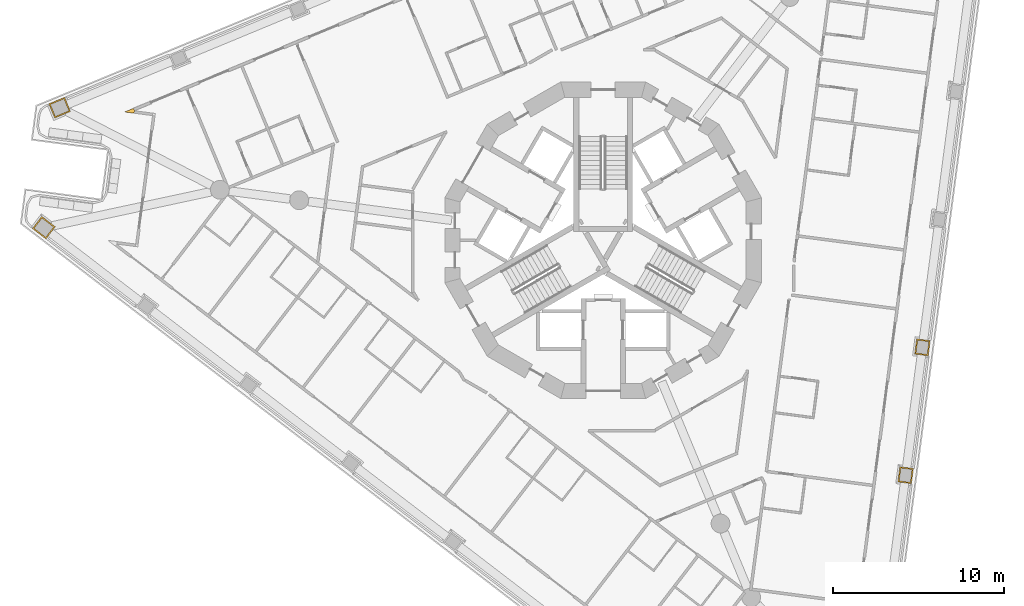
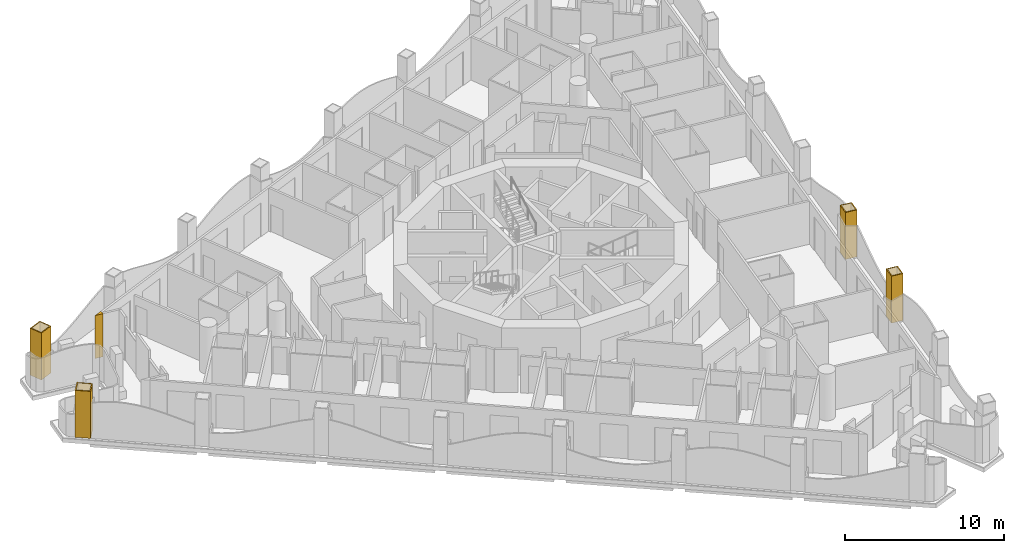
# One storey, part 15 of 18: 5 coverings.
"""IFC4 building model written with IfcOpenShell, lengths in metres."""

from ifc_helpers import new_model, si_unit, direction, frame, origin, place, context, subcontext, project, spatial, polyline, outline, extrude, material, layer, layer_set, type_object, element, save


model = new_model("IFC4")

# Units and contexts
model_context = context("Model", 3, precision=1e-05, world=origin(), true_north=direction((0.0, 1.0)))
body_context = subcontext(model_context, "Body", "Model", "MODEL_VIEW")
ifc_project = project(units=[si_unit("LENGTHUNIT", "METRE"), si_unit("AREAUNIT", "SQUARE_METRE"), si_unit("VOLUMEUNIT", "CUBIC_METRE"), si_unit("PLANEANGLEUNIT", "RADIAN"), si_unit("MASSUNIT", "GRAM", prefix="KILO")], contexts=[model_context])

# Site, building, storey
site_placement = place(None, origin())
site = spatial("IfcSite", under=ifc_project, at=site_placement, CompositionType="ELEMENT")
building_placement = place(site_placement, origin())
building = spatial("IfcBuilding", under=site, at=building_placement, Name="Trine Commons Tower", CompositionType="ELEMENT")
storey_placement = place(building_placement, frame((0.0, 0.0, 142.199951171875)))
storey = spatial("IfcBuildingStorey", under=building, at=storey_placement, Name="L36", CompositionType="ELEMENT", Elevation=142.199951171875)

# Coverings
ifc_material_1 = material(Name="Aluminium-framed insulated wall panel", Category="aluminium")
ifc_layer_1 = layer(ifc_material_1, 0.14990234375)
ifc_layer_set_1 = layer_set([ifc_layer_1], Name="Aluminium-framed insulated wall panel")
covering_type_1 = type_object("IfcCoveringType", Name="Glazing corner post, aluminium", PredefinedType="CLADDING", material=ifc_layer_set_1)
covering_1_placement = place(storey_placement, origin())
element("IfcCovering", 1, at=covering_1_placement, inside=storey, type_object=covering_type_1, Name="Glazing corner post 4-04", PredefinedType="CLADDING", context=body_context, shape_type="SweptSolid", body=[
    extrude(outline(polyline([(52.53369140625, 69.938720703125), (52.553466796875, 70.08740234375), (52.49609375, 70.22607421875), (51.978759765625, 70.01171875), (52.53369140625, 69.938720703125)])), origin(), (0.0, 0.0, 1.0), 3.300048828125),
])
ifc_material_2 = material(Name="Limestone, honed", Category="masonry")
ifc_layer_2 = layer(ifc_material_2, 0.074951171875)
ifc_layer_set_2 = layer_set([ifc_layer_2], Name="Limestone, honed")
covering_type_2 = type_object("IfcCoveringType", Name="Limestone column cladding 75", PredefinedType="CLADDING", material=ifc_layer_set_2)
covering_2_placement = place(storey_placement, origin())
element("IfcCovering", 2, at=covering_2_placement, inside=storey, type_object=covering_type_2, Name="Limestone pier cladding 4-08", PredefinedType="CLADDING", context=body_context, shape_type="SweptSolid", body=[
    extrude(outline(polyline([(47.1259765625, 63.898193359375), (46.578125, 63.18408203125), (47.371337890625, 62.5751953125), (47.919189453125, 63.289306640625), (47.1259765625, 63.898193359375)]), holes=[polyline([(47.139892578125, 63.79296875), (46.68310546875, 63.197998046875), (47.357666015625, 62.680419921875), (47.814208984375, 63.275390625), (47.139892578125, 63.79296875)])]), origin(), (0.0, 0.0, 1.0), 3.60009765625),
])
covering_3_placement = place(storey_placement, origin())
element("IfcCovering", 3, at=covering_3_placement, inside=storey, type_object=covering_type_2, Name="Limestone pier cladding 4-09", PredefinedType="CLADDING", context=body_context, shape_type="SweptSolid", body=[
    extrude(outline(polyline([(48.80810546875, 70.04052734375), (48.463623046875, 70.8720703125), (47.539794921875, 70.489501953125), (47.88427734375, 69.657958984375), (48.80810546875, 70.04052734375)]), holes=[polyline([(48.710205078125, 70.081298828125), (48.423095703125, 70.774169921875), (47.6376953125, 70.44873046875), (47.9248046875, 69.755859375), (48.710205078125, 70.081298828125)])]), origin(), (0.0, 0.0, 1.0), 3.60009765625),
])
covering_4_placement = place(storey_placement, origin())
element("IfcCovering", 4, at=covering_4_placement, inside=storey, type_object=covering_type_2, Name="Limestone pier cladding 4-21", PredefinedType="CLADDING", context=body_context, shape_type="SweptSolid", body=[
    extrude(outline(polyline([(99.150146484375, 56.6240234375), (98.35693359375, 56.728515625), (98.239501953125, 55.836181640625), (99.03271484375, 55.731689453125), (99.150146484375, 56.6240234375)]), holes=[polyline([(99.06591796875, 56.5595703125), (98.42138671875, 56.644287109375), (98.323486328125, 55.90087890625), (98.968017578125, 55.81591796875), (99.06591796875, 56.5595703125)])]), origin(), (0.0, 0.0, 1.0), 3.60009765625),
])
covering_5_placement = place(storey_placement, origin())
element("IfcCovering", 5, at=covering_5_placement, inside=storey, type_object=covering_type_2, Name="Limestone pier cladding 4-22", PredefinedType="CLADDING", context=body_context, shape_type="SweptSolid", body=[
    extrude(outline(polyline([(98.164306640625, 49.13671875), (97.371337890625, 49.2412109375), (97.25390625, 48.34912109375), (98.046875, 48.244384765625), (98.164306640625, 49.13671875)]), holes=[polyline([(98.080322265625, 49.072265625), (97.435791015625, 49.156982421875), (97.337890625, 48.41357421875), (97.982421875, 48.32861328125), (98.080322265625, 49.072265625)])]), origin(), (0.0, 0.0, 1.0), 3.60009765625),
])

save(model, "model.ifc")
